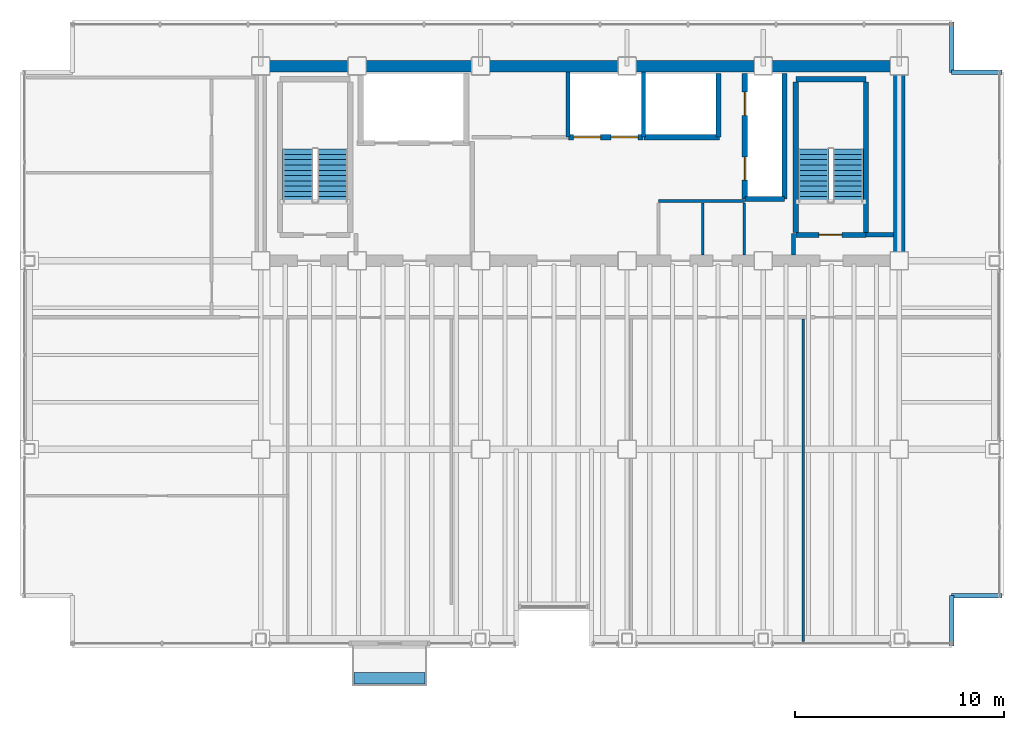
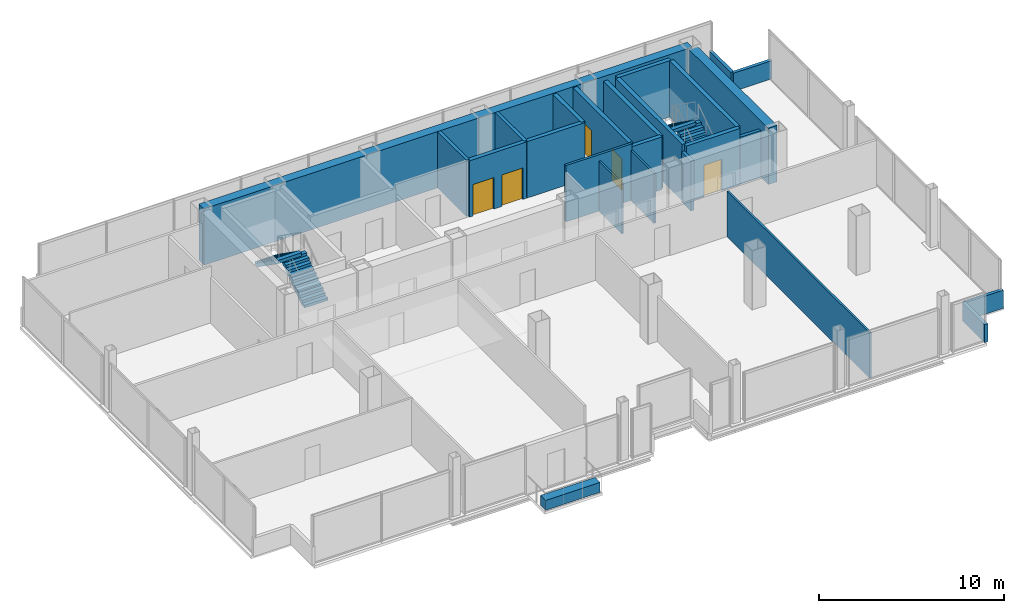
# One storey, part 19 of 20: 24 walls, 5 doors, 4 stair flights, 1 discrete accessory, 5 openings, 2 elements without a shape of their own.
"""IFC4 building model written with IfcOpenShell, lengths in metres."""

from ifc_helpers import new_model, si_unit, direction, frame, frame_2d, origin, origin_2d, place, context, subcontext, project, spatial, polyline, rectangle, outline, extrude, material, layer, layer_set, type_object, element, fill, aggregate, save


model = new_model("IFC4")

# Units and contexts
model_context = context("Model", 3, precision=1e-05, world=origin(), true_north=direction((0.0, 1.0)))
body_context = subcontext(model_context, "Body", "Model", "MODEL_VIEW")
ifc_project = project(units=[si_unit("LENGTHUNIT", "METRE"), si_unit("AREAUNIT", "SQUARE_METRE"), si_unit("VOLUMEUNIT", "CUBIC_METRE"), si_unit("PLANEANGLEUNIT", "RADIAN"), si_unit("MASSUNIT", "GRAM", prefix="KILO")], contexts=[model_context])

# Site, building, storey
site_placement = place(None, origin())
site = spatial("IfcSite", under=ifc_project, at=site_placement, CompositionType="ELEMENT")
building_placement = place(site_placement, origin())
building = spatial("IfcBuilding", under=site, at=building_placement, Name="Noeulbin Bourse Tower", CompositionType="ELEMENT")
storey_placement = place(building_placement, frame((0.0, 0.0, 126.60009765625)))
storey = spatial("IfcBuildingStorey", under=building, at=storey_placement, Name="L31", CompositionType="ELEMENT", Elevation=126.60009765625)

# Walls
ifc_material_1 = material(Name="Concrete C60/75", Category="concrete")
ifc_layer_1 = layer(ifc_material_1, 0.550048828125)
ifc_layer_set_1 = layer_set([ifc_layer_1], Name="Concrete C60/75")
wall_type_1 = type_object("IfcWallType", Name="WAL-CORE-550", PredefinedType="SHEAR", material=ifc_layer_set_1)
wall_1_placement = place(storey_placement, frame((13.5, 38.300048828125, 0.0), z_axis=(0.0, 0.0, 1.0), x_axis=(1.0, 0.0, 0.0)))
element("IfcWall", 1, at=wall_1_placement, inside=storey, type_object=wall_type_1, Name="Rear Core North Shear Wall L31", PredefinedType="SHEAR", context=body_context, shape_type="SweptSolid", body=[
    extrude(rectangle(XDim=30.5, YDim=0.550048828125, at=frame_2d((15.25, 0.0))), origin(), (0.0, 0.0, 1.0), 3.719970703125),
])
wall_2_placement = place(storey_placement, frame((44.0, 29.35009765625, 0.0), z_axis=(0.0, 0.0, 1.0), x_axis=(0.0, 1.0, 0.0)))
element("IfcWall", 2, at=wall_2_placement, inside=storey, type_object=wall_type_1, Name="Rear Core East Shear Wall L31", PredefinedType="SHEAR", context=body_context, shape_type="SweptSolid", body=[
    extrude(rectangle(XDim=8.599853515625, YDim=0.550048828125, at=frame_2d((4.2998046875, 0.0))), origin(), (0.0, 0.0, 1.0), 3.719970703125),
])
ifc_material_2 = material(Name="Concrete C40/50", Category="concrete")
ifc_layer_2 = layer(ifc_material_2, 0.199951171875)
ifc_layer_set_2 = layer_set([ifc_layer_2], Name="Concrete C40/50")
wall_type_2 = type_object("IfcWallType", Name="WAL-FIRE-200", PredefinedType="STANDARD", material=ifc_layer_set_2)
wall_3_placement = place(storey_placement, frame((42.39990234375, 30.239990234375, 0.0), z_axis=(0.0, 0.0, 1.0), x_axis=(1.0, 0.0, 0.0)))
element("IfcWall", 3, at=wall_3_placement, inside=storey, type_object=wall_type_2, Name="Interior Partition Wall L31-01", PredefinedType="STANDARD", context=body_context, shape_type="SweptSolid", body=[
    extrude(rectangle(XDim=1.315185546875, YDim=0.199951171875, at=frame_2d((0.65771484375, 0.0))), origin(), (0.0, 0.0, 1.0), 3.099853515625),
])
wall_4_placement = place(storey_placement, frame((38.949951171875, 29.284912109375, 0.0), z_axis=(0.0, 0.0, 1.0), x_axis=(0.0, 1.0, 0.0)))
element("IfcWall", 4, at=wall_4_placement, inside=storey, type_object=wall_type_2, Name="Interior Partition Wall L31-09", PredefinedType="STANDARD", context=body_context, shape_type="SweptSolid", body=[
    extrude(rectangle(XDim=1.01513671875, YDim=0.199951171875, at=frame_2d((0.507568359375, 0.0))), origin(), (0.0, 0.0, 1.0), 3.2998046875),
])
ifc_layer_3 = layer(ifc_material_2, 0.199951171875)
ifc_layer_set_3 = layer_set([ifc_layer_3], Name="Concrete C40/50")
wall_type_3 = type_object("IfcWallType", Name="WAL-PAR-200", PredefinedType="PARAPET", material=ifc_layer_set_3)
for number, where, z_axis, x_axis, name in (
    (5, (46.5, 10.60009765625, 0.0), (0.0, 0.0, 1.0), (0.0, 1.0, 0.0), "Corner Notch Parapet L31-SE1"),
    (6, (46.5, 13.0, 0.0), (0.0, 0.0, 1.0), (1.0, 0.0, 0.0), "Corner Notch Parapet L31-SE2"),
    (7, (46.5, 40.39990234375, 0.0), (0.0, 0.0, 1.0), (0.0, -1.0, 0.0), "Corner Notch Parapet L31-NE1"),
    (8, (46.5, 38.0, 0.0), (0.0, 0.0, 1.0), (1.0, 0.0, 0.0), "Corner Notch Parapet L31-NE2"),
):
    element("IfcWall", number, at=place(storey_placement, frame(where, z_axis=z_axis, x_axis=x_axis)), inside=storey, type_object=wall_type_3, Name=name, PredefinedType="PARAPET", context=body_context, shape_type="SweptSolid", body=[
        extrude(rectangle(XDim=2.39990234375, YDim=0.199951171875, at=frame_2d((1.199951171875, 0.0))), origin(), (0.0, 0.0, 1.0), 1.199951171875),
    ])
ifc_material_3 = material(Name="Steel Stud Gypsum Partition", Category="steel")
ifc_layer_4 = layer(ifc_material_3, 0.1201171875)
ifc_layer_set_4 = layer_set([ifc_layer_4], Name="Steel Stud Gypsum Partition")
wall_type_4 = type_object("IfcWallType", Name="WAL-PRT-120", PredefinedType="PARTITIONING", material=ifc_layer_set_4)
for number, where, z_axis, x_axis, name in (
    (9, (36.60009765625, 29.284912109375, 0.0), (0.0, 0.0, 1.0), (0.0, 1.0, 0.0), "Interior Partition Wall L31-12"),
    (10, (34.60009765625, 29.284912109375, 0.0), (0.0, 0.0, 1.0), (0.0, 1.0, 0.0), "Interior Partition Wall L31-13"),
):
    element("IfcWall", number, at=place(storey_placement, frame(where, z_axis=z_axis, x_axis=x_axis)), inside=storey, type_object=wall_type_4, Name=name, PredefinedType="PARTITIONING", context=body_context, shape_type="SweptSolid", body=[
        extrude(rectangle(XDim=2.47998046875, YDim=0.1201171875, at=frame_2d((1.239990234375, 0.0))), origin(), (0.0, 0.0, 1.0), 3.2998046875),
    ])
wall_5_placement = place(storey_placement, frame((39.39990234375, 10.81005859375, 0.0), z_axis=(0.0, 0.0, 1.0), x_axis=(0.0, 1.0, 0.0)))
element("IfcWall", 11, at=wall_5_placement, inside=storey, type_object=wall_type_4, Name="Interior Partition Wall L31-18", PredefinedType="PARTITIONING", context=body_context, shape_type="SweptSolid", body=[
    extrude(rectangle(XDim=15.405029296875, YDim=0.1201171875, at=frame_2d((7.70263671875, 0.0))), origin(), (0.0, 0.0, 1.0), 3.0),
])
ifc_material_4 = material(Name="Steel Stud Acoustic Gypsum Board", Category="steel")
ifc_layer_5 = layer(ifc_material_4, 0.14990234375)
ifc_layer_set_5 = layer_set([ifc_layer_5], Name="Steel Stud Acoustic Gypsum Board")
wall_type_5 = type_object("IfcWallType", Name="WAL-PRT-150", PredefinedType="PARTITIONING", material=ifc_layer_set_5)
wall_6_placement = place(storey_placement, frame((32.5, 31.85009765625, 0.0), z_axis=(0.0, 0.0, 1.0), x_axis=(1.0, 0.0, 0.0)))
element("IfcWall", 12, at=wall_6_placement, inside=storey, type_object=wall_type_5, Name="Interior Partition Wall L31-03", PredefinedType="PARTITIONING", context=body_context, shape_type="SweptSolid", body=[
    extrude(rectangle(XDim=4.10009765625, YDim=0.14990234375, at=frame_2d((2.050048828125, 0.0))), origin(), (0.0, 0.0, 1.0), 3.719970703125),
])

# Wall, opening, door
ifc_layer_6 = layer(ifc_material_2, 0.25)
ifc_layer_set_6 = layer_set([ifc_layer_6], Name="Concrete C40/50")
wall_type_6 = type_object("IfcWallType", Name="WAL-SHFT-250", PredefinedType="STANDARD", material=ifc_layer_set_6)
wall_7_placement = place(storey_placement, frame((39.06005859375, 30.235107421875, 0.0), z_axis=(0.0, 0.0, 1.0), x_axis=(1.0, 0.0, 0.0)))
wall_7 = element("IfcWall", 13, at=wall_7_placement, inside=storey, type_object=wall_type_6, Name="Stair ST-2 South Shaft Wall L31", PredefinedType="STANDARD", context=body_context, shape_type="SweptSolid", body=[
    extrude(rectangle(XDim=3.33984375, YDim=0.25, at=frame_2d((1.669921875, 0.0))), origin(), (0.0, 0.0, 1.0), 3.719970703125),
])
opening_1_placement = place(wall_7_placement, frame((1.10009765625, 0.0, 0.0)))
opening_1 = element("IfcOpeningElement", 14, at=opening_1_placement, cuts=wall_7, Name="Opening FD-11", PredefinedType="OPENING", context=body_context, shape_type="SweptSolid", body=[
    extrude(rectangle(XDim=1.10009765625, YDim=2.080078125, at=frame_2d((0.550048828125, 1.0400390625))), frame((0.0, 0.135009765625, 0.0), z_axis=(0.0, -1.0, 0.0), x_axis=(1.0, 0.0, 0.0)), (0.0, 0.0, 1.0), 0.27001953125),
])
ifc_material_5 = material(Name="Fire-Rated Insulated Steel", Category="steel")
door_type_1 = type_object("IfcDoorType", Name="DR-FD60-1100", OperationType="SINGLE_SWING_LEFT", PredefinedType="DOOR", material=ifc_material_5)
door_1_placement = place(opening_1_placement, origin())
door_1 = element("IfcDoor", 15, at=door_1_placement, inside=storey, type_object=door_type_1, Name="Protected Stair Entry Door ST2-L31", OperationType="SINGLE_SWING_RIGHT", OverallHeight=2.080078125, OverallWidth=1.10009765625, PredefinedType="DOOR", context=body_context, shape_type="SweptSolid", body=[
    extrude(rectangle(XDim=1.10009765625, YDim=2.080078125, at=frame_2d((0.550048828125, 1.0400390625))), frame((0.0, 0.02490234375, 0.0), z_axis=(0.0, -1.0, 0.0), x_axis=(1.0, 0.0, 0.0)), (0.0, 0.0, 1.0), 0.050048828125),
])
fill(opening_1, door_1)

# Walls
wall_8_placement = place(storey_placement, frame((39.06005859375, 37.6689453125, 0.0), z_axis=(0.0, 0.0, 1.0), x_axis=(1.0, 0.0, 0.0)))
element("IfcWall", 16, at=wall_8_placement, inside=storey, type_object=wall_type_6, Name="Stair ST-2 North Shaft Wall L31", PredefinedType="STANDARD", context=body_context, shape_type="SweptSolid", body=[
    extrude(rectangle(XDim=3.33984375, YDim=0.25, at=frame_2d((1.669921875, 0.0))), origin(), (0.0, 0.0, 1.0), 3.719970703125),
])
for number, where, z_axis, x_axis, name in (
    (17, (39.054931640625, 30.360107421875, 0.0), (0.0, 0.0, 1.0), (0.0, 1.0, 0.0), "Stair ST-2 West Shaft Wall L31"),
    (18, (42.405029296875, 30.360107421875, 0.0), (0.0, 0.0, 1.0), (0.0, 1.0, 0.0), "Stair ST-2 East Shaft Wall L31"),
):
    element("IfcWall", number, at=place(storey_placement, frame(where, z_axis=z_axis, x_axis=x_axis)), inside=storey, type_object=wall_type_6, Name=name, PredefinedType="STANDARD", context=body_context, shape_type="SweptSolid", body=[
        extrude(rectangle(XDim=7.183837890625, YDim=0.25, at=frame_2d((3.591796875, 0.0))), origin(), (0.0, 0.0, 1.0), 3.719970703125),
    ])

# Wall, openings, doors
wall_9_placement = place(storey_placement, frame((36.6201171875, 31.949951171875, 0.0), z_axis=(0.0, 0.0, 1.0), x_axis=(0.0, 1.0, 0.0)))
wall_9 = element("IfcWall", 19, at=wall_9_placement, inside=storey, type_object=wall_type_6, Name="Service Lift Shaft Wall L31", PredefinedType="STANDARD", context=body_context, shape_type="SweptSolid", body=[
    extrude(rectangle(XDim=6.0, YDim=0.25, at=frame_2d((3.0, 0.0))), origin(), (0.0, 0.0, 1.0), 3.719970703125),
])
opening_2_placement = place(wall_9_placement, frame((0.89990234375, 0.0, 0.0)))
opening_2 = element("IfcOpeningElement", 20, at=opening_2_placement, cuts=wall_9, Name="Opening LD-11", PredefinedType="OPENING", context=body_context, shape_type="SweptSolid", body=[
    extrude(rectangle(XDim=1.10009765625, YDim=2.080078125, at=frame_2d((0.550048828125, 1.0400390625))), frame((0.0, 0.135009765625, 0.0), z_axis=(0.0, -1.0, 0.0), x_axis=(1.0, 0.0, 0.0)), (0.0, 0.0, 1.0), 0.27001953125),
])
opening_3_placement = place(wall_9_placement, frame((4.0, 0.0, 0.0)))
opening_3 = element("IfcOpeningElement", 21, at=opening_3_placement, cuts=wall_9, Name="Opening LD-11", PredefinedType="OPENING", context=body_context, shape_type="SweptSolid", body=[
    extrude(rectangle(XDim=1.10009765625, YDim=2.080078125, at=frame_2d((0.550048828125, 1.0400390625))), frame((0.0, 0.135009765625, 0.0), z_axis=(0.0, -1.0, 0.0), x_axis=(1.0, 0.0, 0.0)), (0.0, 0.0, 1.0), 0.27001953125),
])
ifc_material_6 = material(Name="Brushed Stainless Steel 316", Category="steel")
door_type_2 = type_object("IfcDoorType", Name="DR-LIFT-1100", OperationType="SLIDING_TO_LEFT", PredefinedType="DOOR", material=ifc_material_6)
door_2_placement = place(opening_2_placement, origin())
door_2 = element("IfcDoor", 22, at=door_2_placement, inside=storey, type_object=door_type_2, Name="Lift Landing Door LD-EL-01-L31", OperationType="SLIDING_TO_LEFT", OverallHeight=2.080078125, OverallWidth=1.10009765625, PredefinedType="DOOR", context=body_context, shape_type="SweptSolid", body=[
    extrude(rectangle(XDim=1.10009765625, YDim=2.080078125, at=frame_2d((0.550048828125, 1.0400390625))), frame((0.0, 0.02490234375, 0.0), z_axis=(0.0, -1.0, 0.0), x_axis=(1.0, 0.0, 0.0)), (0.0, 0.0, 1.0), 0.050048828125),
])
fill(opening_2, door_2)
door_3_placement = place(opening_3_placement, origin())
door_3 = element("IfcDoor", 23, at=door_3_placement, inside=storey, type_object=door_type_2, Name="Lift Landing Door LD-SV-01-L31", OperationType="SLIDING_TO_LEFT", OverallHeight=2.080078125, OverallWidth=1.10009765625, PredefinedType="DOOR", context=body_context, shape_type="SweptSolid", body=[
    extrude(rectangle(XDim=1.10009765625, YDim=2.080078125, at=frame_2d((0.550048828125, 1.0400390625))), frame((0.0, 0.02490234375, 0.0), z_axis=(0.0, -1.0, 0.0), x_axis=(1.0, 0.0, 0.0)), (0.0, 0.0, 1.0), 0.050048828125),
])
fill(opening_3, door_3)

# Walls
wall_10_placement = place(storey_placement, frame((38.52001953125, 31.949951171875, 0.0), z_axis=(0.0, 0.0, 1.0), x_axis=(0.0, 1.0, 0.0)))
element("IfcWall", 24, at=wall_10_placement, inside=storey, type_object=wall_type_6, Name="Service Lift East Shaft Wall L31", PredefinedType="STANDARD", context=body_context, shape_type="SweptSolid", body=[
    extrude(rectangle(XDim=6.0, YDim=0.25, at=frame_2d((3.0, 0.0))), origin(), (0.0, 0.0, 1.0), 3.47998046875),
])
wall_11_placement = place(storey_placement, frame((36.6201171875, 31.949951171875, 0.0), z_axis=(0.0, 0.0, 1.0), x_axis=(1.0, 0.0, 0.0)))
element("IfcWall", 25, at=wall_11_placement, inside=storey, type_object=wall_type_6, Name="Service Lift South Shaft Wall L31", PredefinedType="STANDARD", context=body_context, shape_type="SweptSolid", body=[
    extrude(rectangle(XDim=1.89990234375, YDim=0.25, at=frame_2d((0.949951171875, 0.0))), origin(), (0.0, 0.0, 1.0), 3.47998046875),
])
wall_12_placement = place(storey_placement, frame((35.360107421875, 34.89990234375, 0.0), z_axis=(0.0, 0.0, 1.0), x_axis=(0.0, 1.0, 0.0)))
element("IfcWall", 26, at=wall_12_placement, inside=storey, type_object=wall_type_6, Name="High-Rise Lift East Shaft Wall L31", PredefinedType="STANDARD", context=body_context, shape_type="SweptSolid", body=[
    extrude(rectangle(XDim=3.050048828125, YDim=0.25, at=frame_2d((1.52490234375, 0.0))), origin(), (0.0, 0.0, 1.0), 3.719970703125),
])

# Wall, openings, doors
wall_13_placement = place(storey_placement, frame((28.199951171875, 34.89990234375, 0.0), z_axis=(0.0, 0.0, 1.0), x_axis=(1.0, 0.0, 0.0)))
wall_13 = element("IfcWall", 27, at=wall_13_placement, inside=storey, type_object=wall_type_6, Name="Mid-Rise Lift Bank Front L31", PredefinedType="STANDARD", context=body_context, shape_type="SweptSolid", body=[
    extrude(rectangle(XDim=3.550048828125, YDim=0.25, at=frame_2d((1.77490234375, 0.0))), origin(), (0.0, 0.0, 1.0), 3.719970703125),
])
opening_4_placement = place(wall_13_placement, frame((0.22998046875, 0.0, 0.0)))
opening_4 = element("IfcOpeningElement", 28, at=opening_4_placement, cuts=wall_13, Name="Opening LD-13", PredefinedType="OPENING", context=body_context, shape_type="SweptSolid", body=[
    extrude(rectangle(XDim=1.300048828125, YDim=2.080078125, at=frame_2d((0.64990234375, 1.0400390625))), frame((0.0, 0.135009765625, 0.0), z_axis=(0.0, -1.0, 0.0), x_axis=(1.0, 0.0, 0.0)), (0.0, 0.0, 1.0), 0.27001953125),
])
opening_5_placement = place(wall_13_placement, frame((2.030029296875, 0.0, 0.0)))
opening_5 = element("IfcOpeningElement", 29, at=opening_5_placement, cuts=wall_13, Name="Opening LD-13", PredefinedType="OPENING", context=body_context, shape_type="SweptSolid", body=[
    extrude(rectangle(XDim=1.300048828125, YDim=2.080078125, at=frame_2d((0.64990234375, 1.0400390625))), frame((0.0, 0.135009765625, 0.0), z_axis=(0.0, -1.0, 0.0), x_axis=(1.0, 0.0, 0.0)), (0.0, 0.0, 1.0), 0.27001953125),
])
door_type_3 = type_object("IfcDoorType", Name="DR-LIFT-1300", OperationType="DOUBLE_DOOR_SLIDING", PredefinedType="DOOR", material=ifc_material_6)
door_4_placement = place(opening_4_placement, origin())
door_4 = element("IfcDoor", 30, at=door_4_placement, inside=storey, type_object=door_type_3, Name="Lift Landing Door LD-PL-M1-L31", OperationType="DOUBLE_DOOR_SLIDING", OverallHeight=2.080078125, OverallWidth=1.300048828125, PredefinedType="DOOR", context=body_context, shape_type="SweptSolid", body=[
    extrude(rectangle(XDim=1.300048828125, YDim=2.080078125, at=frame_2d((0.64990234375, 1.0400390625))), frame((0.0, 0.02490234375, 0.0), z_axis=(0.0, -1.0, 0.0), x_axis=(1.0, 0.0, 0.0)), (0.0, 0.0, 1.0), 0.050048828125),
])
fill(opening_4, door_4)
door_5_placement = place(opening_5_placement, origin())
door_5 = element("IfcDoor", 31, at=door_5_placement, inside=storey, type_object=door_type_3, Name="Lift Landing Door LD-PL-M2-L31", OperationType="DOUBLE_DOOR_SLIDING", OverallHeight=2.080078125, OverallWidth=1.300048828125, PredefinedType="DOOR", context=body_context, shape_type="SweptSolid", body=[
    extrude(rectangle(XDim=1.300048828125, YDim=2.080078125, at=frame_2d((0.64990234375, 1.0400390625))), frame((0.0, 0.02490234375, 0.0), z_axis=(0.0, -1.0, 0.0), x_axis=(1.0, 0.0, 0.0)), (0.0, 0.0, 1.0), 0.050048828125),
])
fill(opening_5, door_5)

# Walls
wall_14_placement = place(storey_placement, frame((31.800048828125, 34.89990234375, 0.0), z_axis=(0.0, 0.0, 1.0), x_axis=(1.0, 0.0, 0.0)))
element("IfcWall", 32, at=wall_14_placement, inside=storey, type_object=wall_type_6, Name="High-Rise Lift Bank Front L31", PredefinedType="STANDARD", context=body_context, shape_type="SweptSolid", body=[
    extrude(rectangle(XDim=3.599853515625, YDim=0.25, at=frame_2d((1.7998046875, 0.0))), origin(), (0.0, 0.0, 1.0), 3.719970703125),
])
for number, where, z_axis, x_axis, name in (
    (33, (28.179931640625, 34.89990234375, 0.0), (0.0, 0.0, 1.0), (0.0, 1.0, 0.0), "Hoistway Side Shaft Wall L31-PLMW"),
    (34, (31.780029296875, 34.89990234375, 0.0), (0.0, 0.0, 1.0), (0.0, 1.0, 0.0), "Hoistway Side Shaft Wall L31-PLHW"),
):
    element("IfcWall", number, at=place(storey_placement, frame(where, z_axis=z_axis, x_axis=x_axis)), inside=storey, type_object=wall_type_6, Name=name, PredefinedType="STANDARD", context=body_context, shape_type="SweptSolid", body=[
        extrude(rectangle(XDim=3.1201171875, YDim=0.199951171875, at=frame_2d((1.56005859375, 0.0))), origin(), (0.0, 0.0, 1.0), 3.719970703125),
    ])

# Stair, stair flights
stair_type = type_object("IfcStairType", Name="STR-CORE-1560", PredefinedType="HALF_TURN_STAIR", material=ifc_material_2)
stair_1_placement = place(storey_placement, origin())
stair_1 = element("IfcStair", 35, at=stair_1_placement, inside=storey, type_object=stair_type, Name="L31 ST-1", PredefinedType="HALF_TURN_STAIR")
stair_flight_type = type_object("IfcStairFlightType", Name="SFL-CORE-1560", PredefinedType="STRAIGHT", material=ifc_material_2)
stair_flight_1_placement = place(storey_placement, frame((16.925048828125, 31.81005859375, 0.0), z_axis=(0.0, 0.0, 1.0), x_axis=(0.0, 1.0, 0.0)))
stair_flight_1 = element("IfcStairFlight", 36, at=stair_flight_1_placement, type_object=stair_flight_type, Name="ST-1 flight 1", NumberOfRisers=11, NumberOfTreads=10, PredefinedType="STRAIGHT", RiserHeight=0.177272727, TreadLength=0.252, context=body_context, shape_type="SweptSolid", body=[
    extrude(outline(polyline([(0.0, 0.0), (0.0, 0.17724609375), (0.251953125, 0.17724609375), (0.251953125, 0.3544921875), (0.50390625, 0.3544921875), (0.50390625, 0.53173828125), (0.756103515625, 0.53173828125), (0.756103515625, 0.708984375), (1.008056640625, 0.708984375), (1.008056640625, 0.886474609375), (1.260009765625, 0.886474609375), (1.260009765625, 1.063720703125), (1.511962890625, 1.063720703125), (1.511962890625, 1.240966796875), (1.763916015625, 1.240966796875), (1.763916015625, 1.418212890625), (2.01611328125, 1.418212890625), (2.01611328125, 1.595458984375), (2.26806640625, 1.595458984375), (2.26806640625, 1.772705078125), (2.52001953125, 1.772705078125), (2.52001953125, 1.949951171875), (2.52001953125, 1.552734375), (0.312744140625, 0.0), (0.0, 0.0)])), frame((0.0, 0.72509765625, 0.0), z_axis=(0.0, -1.0, 0.0), x_axis=(1.0, 0.0, 0.0)), (0.0, 0.0, 1.0), 1.449951171875),
])
stair_flight_2_placement = place(storey_placement, frame((15.27490234375, 34.330078125, 1.949951171875), z_axis=(0.0, 0.0, 1.0), x_axis=(0.0, -1.0, 0.0)))
stair_flight_2 = element("IfcStairFlight", 37, at=stair_flight_2_placement, type_object=stair_flight_type, Name="ST-1 flight 2", NumberOfRisers=11, NumberOfTreads=10, PredefinedType="STRAIGHT", RiserHeight=0.177272727, TreadLength=0.252, context=body_context, shape_type="SweptSolid", body=[
    extrude(outline(polyline([(0.0, 0.0), (0.0, 0.17724609375), (0.251953125, 0.17724609375), (0.251953125, 0.3544921875), (0.50390625, 0.3544921875), (0.50390625, 0.53173828125), (0.756103515625, 0.53173828125), (0.756103515625, 0.708984375), (1.008056640625, 0.708984375), (1.008056640625, 0.886474609375), (1.260009765625, 0.886474609375), (1.260009765625, 1.063720703125), (1.511962890625, 1.063720703125), (1.511962890625, 1.240966796875), (1.763916015625, 1.240966796875), (1.763916015625, 1.418212890625), (2.01611328125, 1.418212890625), (2.01611328125, 1.595458984375), (2.26806640625, 1.595458984375), (2.26806640625, 1.772705078125), (2.52001953125, 1.772705078125), (2.52001953125, 1.949951171875), (2.52001953125, 1.552734375), (0.312744140625, 0.0), (0.0, 0.0)])), frame((0.0, 0.72509765625, 0.0), z_axis=(0.0, -1.0, 0.0), x_axis=(1.0, 0.0, 0.0)), (0.0, 0.0, 1.0), 1.449951171875),
])
aggregate(stair_1, [stair_flight_1, stair_flight_2])

stair_2_placement = place(storey_placement, origin())
stair_2 = element("IfcStair", 38, at=stair_2_placement, inside=storey, type_object=stair_type, Name="L31 ST-2", PredefinedType="HALF_TURN_STAIR")
stair_flight_3_placement = place(storey_placement, frame((41.554931640625, 31.81005859375, 0.0), z_axis=(0.0, 0.0, 1.0), x_axis=(0.0, 1.0, 0.0)))
stair_flight_3 = element("IfcStairFlight", 39, at=stair_flight_3_placement, type_object=stair_flight_type, Name="ST-2 flight 1", NumberOfRisers=11, NumberOfTreads=10, PredefinedType="STRAIGHT", RiserHeight=0.177272727, TreadLength=0.252, context=body_context, shape_type="SweptSolid", body=[
    extrude(outline(polyline([(0.0, 0.0), (0.0, 0.17724609375), (0.251953125, 0.17724609375), (0.251953125, 0.3544921875), (0.50390625, 0.3544921875), (0.50390625, 0.53173828125), (0.756103515625, 0.53173828125), (0.756103515625, 0.708984375), (1.008056640625, 0.708984375), (1.008056640625, 0.886474609375), (1.260009765625, 0.886474609375), (1.260009765625, 1.063720703125), (1.511962890625, 1.063720703125), (1.511962890625, 1.240966796875), (1.763916015625, 1.240966796875), (1.763916015625, 1.418212890625), (2.01611328125, 1.418212890625), (2.01611328125, 1.595458984375), (2.26806640625, 1.595458984375), (2.26806640625, 1.772705078125), (2.52001953125, 1.772705078125), (2.52001953125, 1.949951171875), (2.52001953125, 1.552734375), (0.312744140625, 0.0), (0.0, 0.0)])), frame((0.0, 0.72509765625, 0.0), z_axis=(0.0, -1.0, 0.0), x_axis=(1.0, 0.0, 0.0)), (0.0, 0.0, 1.0), 1.449951171875),
])
stair_flight_4_placement = place(storey_placement, frame((39.905029296875, 34.330078125, 1.949951171875), z_axis=(0.0, 0.0, 1.0), x_axis=(0.0, -1.0, 0.0)))
stair_flight_4 = element("IfcStairFlight", 40, at=stair_flight_4_placement, type_object=stair_flight_type, Name="ST-2 flight 2", NumberOfRisers=11, NumberOfTreads=10, PredefinedType="STRAIGHT", RiserHeight=0.177272727, TreadLength=0.252, context=body_context, shape_type="SweptSolid", body=[
    extrude(outline(polyline([(0.0, 0.0), (0.0, 0.17724609375), (0.251953125, 0.17724609375), (0.251953125, 0.3544921875), (0.50390625, 0.3544921875), (0.50390625, 0.53173828125), (0.756103515625, 0.53173828125), (0.756103515625, 0.708984375), (1.008056640625, 0.708984375), (1.008056640625, 0.886474609375), (1.260009765625, 0.886474609375), (1.260009765625, 1.063720703125), (1.511962890625, 1.063720703125), (1.511962890625, 1.240966796875), (1.763916015625, 1.240966796875), (1.763916015625, 1.418212890625), (2.01611328125, 1.418212890625), (2.01611328125, 1.595458984375), (2.26806640625, 1.595458984375), (2.26806640625, 1.772705078125), (2.52001953125, 1.772705078125), (2.52001953125, 1.949951171875), (2.52001953125, 1.552734375), (0.312744140625, 0.0), (0.0, 0.0)])), frame((0.0, 0.72509765625, 0.0), z_axis=(0.0, -1.0, 0.0), x_axis=(1.0, 0.0, 0.0)), (0.0, 0.0, 1.0), 1.449951171875),
])
aggregate(stair_2, [stair_flight_3, stair_flight_4])

# Discrete accessory
ifc_material_7 = material(Name="Architectural GFRC Concrete C40/50", Category="concrete")
ifc_layer_7 = layer(ifc_material_7, 0.64990234375)
ifc_layer_set_7 = layer_set([ifc_layer_7], Name="Architectural GFRC Concrete C40/50")
discrete_accessory_type = type_object("IfcDiscreteAccessoryType", Name="PLANTER-BOX-3600", PredefinedType="USERDEFINED", material=ifc_layer_set_7)
discrete_accessory_placement = place(storey_placement, frame((19.64990234375, 9.06005859375, 0.0), z_axis=(0.0, 0.0, 1.0), x_axis=(1.0, 0.0, 0.0)))
element("IfcDiscreteAccessory", 41, at=discrete_accessory_placement, inside=storey, type_object=discrete_accessory_type, Name="Integrated Balcony Tree Planter Box L31", ObjectType="PLANTER", PredefinedType="USERDEFINED", context=body_context, shape_type="SweptSolid", body=[
    extrude(rectangle(XDim=3.39990234375, YDim=0.550048828125, at=origin_2d()), origin(), (0.0, 0.0, 1.0), 0.64990234375),
])

save(model, "model.ifc")
